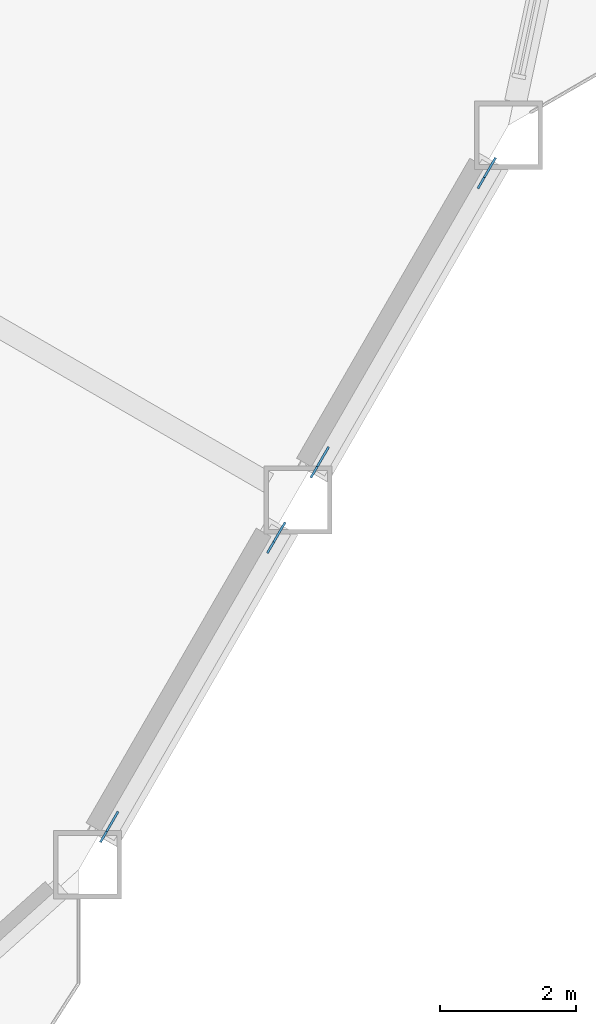
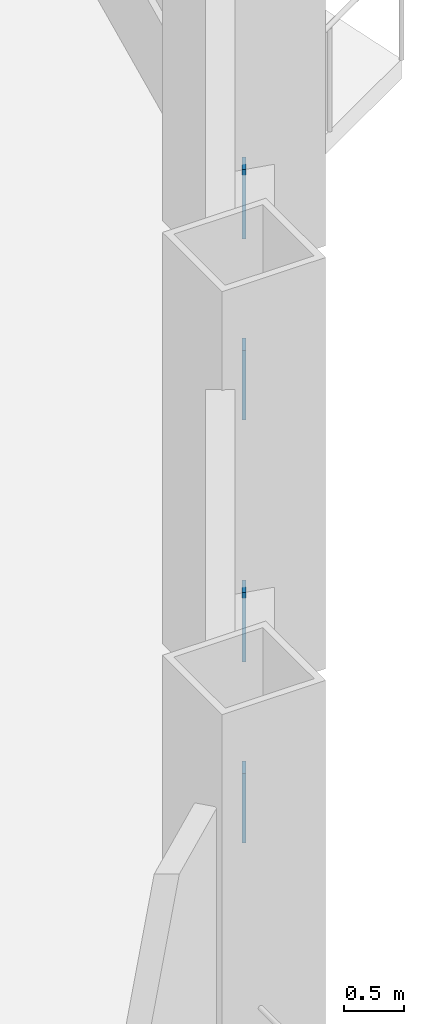
# One storey, part 15 of 21: 4 discrete accessories.
"""IFC4 building model written with IfcOpenShell, lengths in metres."""

from ifc_helpers import new_model, si_unit, direction, frame, origin, origin_2d, place, context, subcontext, project, spatial, rectangle, extrude, material, material_profile, profile_set, type_object, element, save


model = new_model("IFC4")

# Units and contexts
model_context = context("Model", 3, precision=1e-05, world=origin(), true_north=direction((0.0, 1.0)))
body_context = subcontext(model_context, "Body", "Model", "MODEL_VIEW")
ifc_project = project(units=[si_unit("LENGTHUNIT", "METRE"), si_unit("AREAUNIT", "SQUARE_METRE"), si_unit("VOLUMEUNIT", "CUBIC_METRE"), si_unit("PLANEANGLEUNIT", "RADIAN"), si_unit("MASSUNIT", "GRAM", prefix="KILO")], contexts=[model_context])

# Site, building, storey
site_placement = place(None, origin())
site = spatial("IfcSite", under=ifc_project, at=site_placement, CompositionType="ELEMENT")
building_placement = place(site_placement, origin())
building = spatial("IfcBuilding", under=site, at=building_placement, Name="Cormorant Prow Tower", CompositionType="ELEMENT")
storey_placement = place(building_placement, frame((0.0, 0.0, 76.199951171875)))
storey = spatial("IfcBuildingStorey", under=building, at=storey_placement, Name="L16", CompositionType="ELEMENT", Elevation=76.199951171875)

# Discrete accessories
ifc_material = material(Name="Structural steel ASTM A500 Gr C", Category="steel")
ifc_material_profile = material_profile(ifc_material, rectangle(XDim=0.031982421875, YDim=0.60791015625, at=origin_2d()), Name="Gusset plate 32x608")
ifc_profile_set = profile_set([ifc_material_profile], Name="Structural steel ASTM A500 Gr C")
discrete_accessory_type = type_object("IfcDiscreteAccessoryType", Name="Gusset plate 32x608", PredefinedType="BRACKET", material=ifc_profile_set)
discrete_accessory_1_placement = place(storey_placement, frame((27.512939453125, -16.813232421875, 0.859375), z_axis=(0.476464602218, 0.823872174553, -0.306946449452), x_axis=(-0.865660382551, 0.500631703033, 0.0)))
element("IfcDiscreteAccessory", 1, at=discrete_accessory_1_placement, inside=storey, type_object=discrete_accessory_type, Name="Gusset plate GP1 L16.ESE00.g0", PredefinedType="BRACKET", context=body_context, shape_type="SweptSolid", body=[
    extrude(rectangle(XDim=0.031982421875, YDim=0.60791015625, at=origin_2d()), origin(), (0.0, 0.0, 1.0), 0.349853515625),
])
for number, where, z_axis, x_axis, name in (
    (2, (25.232421875, -20.763427734375, 2.32958984375), (-0.475651503409, -0.824369614413, 0.306871937683), (0.866161185697, -0.499764745047, 0.0), "Gusset plate GP1 L16.ESE00.g1"),
    (3, (30.597900390625, -11.47021484375, 0.859375), (0.475651503409, 0.824369614413, -0.306871937683), (-0.866161185697, 0.499764745047, 0.0), "Gusset plate GP1 L16.ESE01.g0"),
):
    element("IfcDiscreteAccessory", number, at=place(storey_placement, frame(where, z_axis=z_axis, x_axis=x_axis)), inside=storey, type_object=discrete_accessory_type, Name=name, PredefinedType="BRACKET", context=body_context, shape_type="SweptSolid", body=[
        extrude(rectangle(XDim=0.031982421875, YDim=0.60791015625, at=origin_2d()), origin(), (0.0, 0.0, 1.0), 0.35009765625),
    ])
discrete_accessory_2_placement = place(storey_placement, frame((28.3173828125, -15.42041015625, 2.32958984375), z_axis=(-0.476464602218, -0.823872174553, 0.306946449452), x_axis=(0.865660382551, -0.500631703033, 0.0)))
element("IfcDiscreteAccessory", 4, at=discrete_accessory_2_placement, inside=storey, type_object=discrete_accessory_type, Name="Gusset plate GP1 L16.ESE01.g1", PredefinedType="BRACKET", context=body_context, shape_type="SweptSolid", body=[
    extrude(rectangle(XDim=0.031982421875, YDim=0.60791015625, at=origin_2d()), origin(), (0.0, 0.0, 1.0), 0.349853515625),
])

save(model, "model.ifc")
